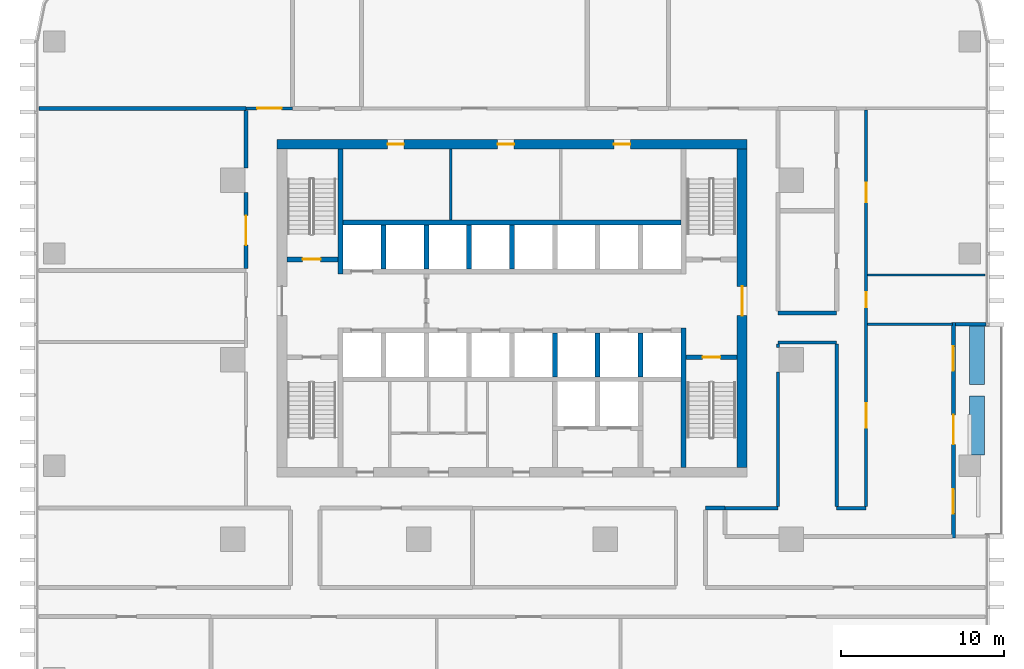
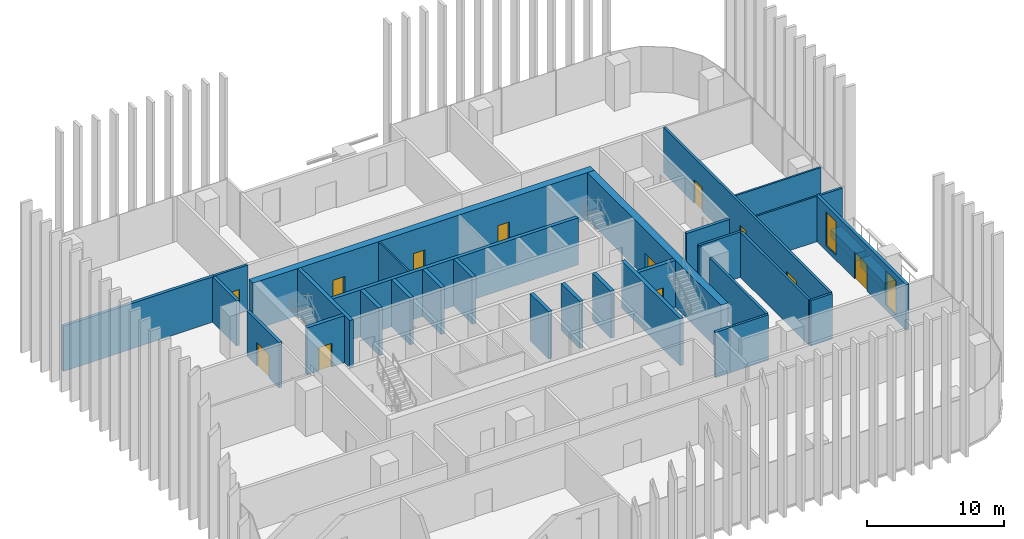
# One storey, part 9 of 17: 34 walls, 12 doors, 2 windows, 14 openings.
"""IFC4 building model written with IfcOpenShell, lengths in metres."""

from ifc_helpers import new_model, si_unit, direction, frame, frame_2d, origin, place, context, subcontext, project, spatial, rectangle, extrude, material, layer, layer_set, type_object, element, fill, save


model = new_model("IFC4")

# Units and contexts
model_context = context("Model", 3, precision=1e-05, world=origin(), true_north=direction((0.0, 1.0)))
body_context = subcontext(model_context, "Body", "Model", "MODEL_VIEW")
ifc_project = project(units=[si_unit("LENGTHUNIT", "METRE"), si_unit("AREAUNIT", "SQUARE_METRE"), si_unit("VOLUMEUNIT", "CUBIC_METRE"), si_unit("PLANEANGLEUNIT", "RADIAN"), si_unit("MASSUNIT", "GRAM", prefix="KILO")], contexts=[model_context])

# Site, building, storey
site_placement = place(None, origin())
site = spatial("IfcSite", under=ifc_project, at=site_placement, CompositionType="ELEMENT")
building_placement = place(site_placement, origin())
building = spatial("IfcBuilding", under=site, at=building_placement, Name="Mopane Tessera Tower", CompositionType="ELEMENT")
storey_placement = place(building_placement, frame((0.0, 0.0, 135.10009765625)))
storey = spatial("IfcBuildingStorey", under=building, at=storey_placement, Name="L27", CompositionType="ELEMENT", Elevation=135.10009765625)

# Wall
ifc_material_1 = material(Name="Fire-rated gypsum board partition")
ifc_layer_1 = layer(ifc_material_1, 0.14990234375)
ifc_layer_set_1 = layer_set([ifc_layer_1], Name="Fire-rated gypsum board partition")
wall_type_1 = type_object("IfcWallType", Name="Core room partition 150 mm", PredefinedType="PARTITIONING", material=ifc_layer_set_1)
wall_1_placement = place(storey_placement, frame((-3.75, 8.550048828125, 0.0), z_axis=(0.0, 0.0, 1.0), x_axis=(0.0, 1.0, 0.0)))
element("IfcWall", 1, at=wall_1_placement, inside=storey, type_object=wall_type_1, Name="L27 Room partition", PredefinedType="PARTITIONING", context=body_context, shape_type="SweptSolid", body=[
    extrude(rectangle(XDim=4.349853515625, YDim=0.14990234375, at=frame_2d((2.1748046875, 0.0))), origin(), (0.0, 0.0, 1.0), 4.199951171875),
])

# Wall, openings, doors
ifc_material_2 = material(Name="Concrete C70/85", Category="concrete")
ifc_layer_2 = layer(ifc_material_2, 0.60009765625)
ifc_layer_set_2 = layer_set([ifc_layer_2], Name="Concrete C70/85")
wall_type_2 = type_object("IfcWallType", Name="Core shear wall 600 mm", PredefinedType="SHEAR", material=ifc_layer_set_2)
wall_2_placement = place(storey_placement, frame((-14.39990234375, 13.199951171875, 0.0), z_axis=(0.0, 0.0, 1.0), x_axis=(1.0, 0.0, 0.0)))
wall_2 = element("IfcWall", 2, at=wall_2_placement, inside=storey, type_object=wall_type_2, Name="L27 Core wall north", PredefinedType="SHEAR", context=body_context, shape_type="SweptSolid", body=[
    extrude(rectangle(XDim=28.7998046875, YDim=0.60009765625, at=frame_2d((14.39990234375, 0.0))), origin(), (0.0, 0.0, 1.0), 4.199951171875),
])
opening_1_placement = place(wall_2_placement, frame((6.77490234375, 0.0, 0.0)))
opening_1 = element("IfcOpeningElement", 3, at=opening_1_placement, cuts=wall_2, Name="Opening RD1", PredefinedType="OPENING", context=body_context, shape_type="SweptSolid", body=[
    extrude(rectangle(XDim=1.0, YDim=2.10009765625, at=frame_2d((0.5, 1.050048828125))), frame((0.0, 0.31201171875, 0.0), z_axis=(0.0, -1.0, 0.0), x_axis=(1.0, 0.0, 0.0)), (0.0, 0.0, 1.0), 0.6240234375),
])
opening_2_placement = place(wall_2_placement, frame((13.52490234375, 0.0, 0.0)))
opening_2 = element("IfcOpeningElement", 4, at=opening_2_placement, cuts=wall_2, Name="Opening RD1", PredefinedType="OPENING", context=body_context, shape_type="SweptSolid", body=[
    extrude(rectangle(XDim=1.0, YDim=2.10009765625, at=frame_2d((0.5, 1.050048828125))), frame((0.0, 0.31201171875, 0.0), z_axis=(0.0, -1.0, 0.0), x_axis=(1.0, 0.0, 0.0)), (0.0, 0.0, 1.0), 0.6240234375),
])
opening_3_placement = place(wall_2_placement, frame((20.64990234375, 0.0, 0.0)))
opening_3 = element("IfcOpeningElement", 5, at=opening_3_placement, cuts=wall_2, Name="Opening RD1", PredefinedType="OPENING", context=body_context, shape_type="SweptSolid", body=[
    extrude(rectangle(XDim=1.0, YDim=2.10009765625, at=frame_2d((0.5, 1.050048828125))), frame((0.0, 0.31201171875, 0.0), z_axis=(0.0, -1.0, 0.0), x_axis=(1.0, 0.0, 0.0)), (0.0, 0.0, 1.0), 0.6240234375),
])
ifc_material_3 = material(Name="Timber door", Category="wood")
door_type_1 = type_object("IfcDoorType", Name="Core room door 1000 x 2100", OperationType="SINGLE_SWING_LEFT", PredefinedType="DOOR", material=ifc_material_3)
door_1_placement = place(opening_1_placement, origin())
door_1 = element("IfcDoor", 6, at=door_1_placement, inside=storey, type_object=door_type_1, Name="L27 Room door", OperationType="SINGLE_SWING_LEFT", OverallHeight=2.10009765625, OverallWidth=1.0, PredefinedType="DOOR", context=body_context, shape_type="SweptSolid", body=[
    extrude(rectangle(XDim=1.0, YDim=2.10009765625, at=frame_2d((0.5, 1.050048828125))), frame((0.0, 0.02490234375, 0.0), z_axis=(0.0, -1.0, 0.0), x_axis=(1.0, 0.0, 0.0)), (0.0, 0.0, 1.0), 0.050048828125),
])
fill(opening_1, door_1)
door_2_placement = place(opening_2_placement, origin())
door_2 = element("IfcDoor", 7, at=door_2_placement, inside=storey, type_object=door_type_1, Name="L27 Room door", OperationType="SINGLE_SWING_LEFT", OverallHeight=2.10009765625, OverallWidth=1.0, PredefinedType="DOOR", context=body_context, shape_type="SweptSolid", body=[
    extrude(rectangle(XDim=1.0, YDim=2.10009765625, at=frame_2d((0.5, 1.050048828125))), frame((0.0, 0.02490234375, 0.0), z_axis=(0.0, -1.0, 0.0), x_axis=(1.0, 0.0, 0.0)), (0.0, 0.0, 1.0), 0.050048828125),
])
fill(opening_2, door_2)
door_3_placement = place(opening_3_placement, origin())
door_3 = element("IfcDoor", 8, at=door_3_placement, inside=storey, type_object=door_type_1, Name="L27 Room door", OperationType="SINGLE_SWING_LEFT", OverallHeight=2.10009765625, OverallWidth=1.0, PredefinedType="DOOR", context=body_context, shape_type="SweptSolid", body=[
    extrude(rectangle(XDim=1.0, YDim=2.10009765625, at=frame_2d((0.5, 1.050048828125))), frame((0.0, 0.02490234375, 0.0), z_axis=(0.0, -1.0, 0.0), x_axis=(1.0, 0.0, 0.0)), (0.0, 0.0, 1.0), 0.050048828125),
])
fill(opening_3, door_3)

# Wall, opening, door
wall_3_placement = place(storey_placement, frame((14.10009765625, -6.60009765625, 0.0), z_axis=(0.0, 0.0, 1.0), x_axis=(0.0, 1.0, 0.0)))
wall_3 = element("IfcWall", 9, at=wall_3_placement, inside=storey, type_object=wall_type_2, Name="L27 Core wall east", PredefinedType="SHEAR", context=body_context, shape_type="SweptSolid", body=[
    extrude(rectangle(XDim=19.5, YDim=0.60009765625, at=frame_2d((9.75, 0.0))), origin(), (0.0, 0.0, 1.0), 4.199951171875),
])
opening_4_placement = place(wall_3_placement, frame((9.300048828125, 0.0, 0.0)))
opening_4 = element("IfcOpeningElement", 10, at=opening_4_placement, cuts=wall_3, Name="Opening SD2", PredefinedType="OPENING", context=body_context, shape_type="SweptSolid", body=[
    extrude(rectangle(XDim=1.800048828125, YDim=2.10009765625, at=frame_2d((0.89990234375, 1.050048828125))), frame((0.0, 0.31201171875, 0.0), z_axis=(0.0, -1.0, 0.0), x_axis=(1.0, 0.0, 0.0)), (0.0, 0.0, 1.0), 0.6240234375),
])
ifc_material_4 = material(Name="Steel fire door", Category="steel")
door_type_2 = type_object("IfcDoorType", Name="Core entrance double door 1800 x 2100", OperationType="DOUBLE_DOOR_SINGLE_SWING", PredefinedType="DOOR", material=ifc_material_4)
door_4_placement = place(opening_4_placement, origin())
door_4 = element("IfcDoor", 11, at=door_4_placement, inside=storey, type_object=door_type_2, Name="L27 Core entrance door east", OperationType="DOUBLE_DOOR_SINGLE_SWING", OverallHeight=2.10009765625, OverallWidth=1.800048828125, PredefinedType="DOOR", context=body_context, shape_type="SweptSolid", body=[
    extrude(rectangle(XDim=1.800048828125, YDim=2.10009765625, at=frame_2d((0.89990234375, 1.050048828125))), frame((0.0, 0.02490234375, 0.0), z_axis=(0.0, -1.0, 0.0), x_axis=(1.0, 0.0, 0.0)), (0.0, 0.0, 1.0), 0.050048828125),
])
fill(opening_4, door_4)

# Walls
ifc_material_5 = material(Name="Concrete C60/75", Category="concrete")
ifc_layer_3 = layer(ifc_material_5, 0.300048828125)
ifc_layer_set_3 = layer_set([ifc_layer_3], Name="Concrete C60/75")
wall_type_3 = type_object("IfcWallType", Name="Core spine wall 300 mm", PredefinedType="SHEAR", material=ifc_layer_set_3)
wall_4_placement = place(storey_placement, frame((-10.5, 5.25, 0.0), z_axis=(0.0, 0.0, 1.0), x_axis=(0.0, 1.0, 0.0)))
element("IfcWall", 12, at=wall_4_placement, inside=storey, type_object=wall_type_3, Name="L27 Core spine wall", PredefinedType="SHEAR", context=body_context, shape_type="SweptSolid", body=[
    extrude(rectangle(XDim=7.64990234375, YDim=0.300048828125, at=frame_2d((3.824951171875, 0.0))), origin(), (0.0, 0.0, 1.0), 4.199951171875),
])
wall_5_placement = place(storey_placement, frame((10.5, -6.60009765625, 0.0), z_axis=(0.0, 0.0, 1.0), x_axis=(0.0, 1.0, 0.0)))
element("IfcWall", 13, at=wall_5_placement, inside=storey, type_object=wall_type_3, Name="L27 Core spine wall", PredefinedType="SHEAR", context=body_context, shape_type="SweptSolid", body=[
    extrude(rectangle(XDim=8.550048828125, YDim=0.300048828125, at=frame_2d((4.27490234375, 0.0))), origin(), (0.0, 0.0, 1.0), 4.199951171875),
])
ifc_material_6 = material(Name="Gypsum board on steel studs, two layers each face, mineral wool infill", Category="steel")
ifc_layer_4 = layer(ifc_material_6, 0.199951171875)
ifc_layer_set_4 = layer_set([ifc_layer_4], Name="Gypsum board on steel studs, two layers each face, mineral wool infill")
wall_type_4 = type_object("IfcWallType", Name="Gypsum board corridor wall 200, rated EI 60", PredefinedType="PARTITIONING", material=ifc_layer_set_4)
wall_6_placement = place(storey_placement, frame((13.050048828125, -9.10009765625, 0.0), z_axis=(0.0, 0.0, 1.0), x_axis=(1.0, 0.0, 0.0)))
element("IfcWall", 14, at=wall_6_placement, inside=storey, type_object=wall_type_4, Name="Partition L27:009", PredefinedType="PARTITIONING", context=body_context, shape_type="SweptSolid", body=[
    extrude(rectangle(XDim=3.25, YDim=0.199951171875, at=frame_2d((1.625, 0.0))), origin(), (0.0, 0.0, 1.0), 4.0498046875),
])
wall_7_placement = place(storey_placement, frame((19.89990234375, -9.10009765625, 0.0), z_axis=(0.0, 0.0, 1.0), x_axis=(1.0, 0.0, 0.0)))
element("IfcWall", 15, at=wall_7_placement, inside=storey, type_object=wall_type_4, Name="Partition L27:010", PredefinedType="PARTITIONING", context=body_context, shape_type="SweptSolid", body=[
    extrude(rectangle(XDim=1.800048828125, YDim=0.199951171875, at=frame_2d((0.89990234375, 0.0))), origin(), (0.0, 0.0, 1.0), 4.0498046875),
])
wall_8_placement = place(storey_placement, frame((16.300048828125, 1.050048828125, 0.0), z_axis=(0.0, 0.0, 1.0), x_axis=(1.0, 0.0, 0.0)))
element("IfcWall", 16, at=wall_8_placement, inside=storey, type_object=wall_type_4, Name="Partition L27:014", PredefinedType="PARTITIONING", context=body_context, shape_type="SweptSolid", body=[
    extrude(rectangle(XDim=3.599853515625, YDim=0.199951171875, at=frame_2d((1.7998046875, 0.0))), origin(), (0.0, 0.0, 1.0), 4.0498046875),
])

# Wall, opening, door
wall_9_placement = place(storey_placement, frame((-16.300048828125, 15.39990234375, 0.0), z_axis=(0.0, 0.0, 1.0), x_axis=(1.0, 0.0, 0.0)))
wall_9 = element("IfcWall", 17, at=wall_9_placement, inside=storey, type_object=wall_type_4, Name="Partition L27:022", PredefinedType="PARTITIONING", context=body_context, shape_type="SweptSolid", body=[
    extrude(rectangle(XDim=2.860107421875, YDim=0.199951171875, at=frame_2d((1.43017578125, 0.0))), origin(), (0.0, 0.0, 1.0), 4.0498046875),
])
opening_5_placement = place(wall_9_placement, frame((0.679931640625, 0.0, 0.0)))
opening_5 = element("IfcOpeningElement", 18, at=opening_5_placement, cuts=wall_9, Name="Opening L27-11", PredefinedType="OPENING", context=body_context, shape_type="SweptSolid", body=[
    extrude(rectangle(XDim=1.5, YDim=2.10009765625, at=frame_2d((0.75, 1.050048828125))), frame((0.0, 0.112060546875, 0.0), z_axis=(0.0, -1.0, 0.0), x_axis=(1.0, 0.0, 0.0)), (0.0, 0.0, 1.0), 0.223876953125),
])
ifc_material_7 = material(Name="Timber veneered steel-framed fire door", Category="steel")
door_type_3 = type_object("IfcDoorType", Name="Fire door pair FD60 1500 x 2100", OperationType="DOUBLE_DOOR_SINGLE_SWING", PredefinedType="DOOR", material=ifc_material_7)
door_5_placement = place(opening_5_placement, origin())
door_5 = element("IfcDoor", 19, at=door_5_placement, inside=storey, type_object=door_type_3, Name="Door L27-11", ObjectType="D17A", OperationType="DOUBLE_DOOR_SINGLE_SWING", OverallHeight=2.10009765625, OverallWidth=1.5, PredefinedType="DOOR", context=body_context, shape_type="SweptSolid", body=[
    extrude(rectangle(XDim=1.5, YDim=2.10009765625, at=frame_2d((0.75, 1.050048828125))), frame((0.0, 0.02490234375, 0.0), z_axis=(0.0, -1.0, 0.0), x_axis=(1.0, 0.0, 0.0)), (0.0, 0.0, 1.0), 0.050048828125),
])
fill(opening_5, door_5)

# Walls
wall_10_placement = place(storey_placement, frame((16.300048828125, -9.0, 0.0), z_axis=(0.0, 0.0, 1.0), x_axis=(0.0, 1.0, 0.0)))
element("IfcWall", 20, at=wall_10_placement, inside=storey, type_object=wall_type_4, Name="Partition L27:047", PredefinedType="PARTITIONING", context=body_context, shape_type="SweptSolid", body=[
    extrude(rectangle(XDim=8.25, YDim=0.199951171875, at=frame_2d((4.125, 0.0))), origin(), (0.0, 0.0, 1.0), 4.0498046875),
])
wall_11_placement = place(storey_placement, frame((16.300048828125, 0.75, 0.0), z_axis=(0.0, 0.0, 1.0), x_axis=(0.0, 1.0, 0.0)))
element("IfcWall", 21, at=wall_11_placement, inside=storey, type_object=wall_type_4, Name="Partition L27:048", PredefinedType="PARTITIONING", context=body_context, shape_type="SweptSolid", body=[
    extrude(rectangle(XDim=0.199951171875, YDim=0.199951171875, at=frame_2d((0.10009765625, 0.0))), origin(), (0.0, 0.0, 1.0), 4.0498046875),
])
wall_12_placement = place(storey_placement, frame((19.89990234375, -9.0, 0.0), z_axis=(0.0, 0.0, 1.0), x_axis=(0.0, 1.0, 0.0)))
element("IfcWall", 22, at=wall_12_placement, inside=storey, type_object=wall_type_4, Name="Partition L27:051", PredefinedType="PARTITIONING", context=body_context, shape_type="SweptSolid", body=[
    extrude(rectangle(XDim=9.949951171875, YDim=0.199951171875, at=frame_2d((4.97509765625, 0.0))), origin(), (0.0, 0.0, 1.0), 4.0498046875),
])

# Wall, openings, doors
wall_13_placement = place(storey_placement, frame((21.699951171875, -9.0, 0.0), z_axis=(0.0, 0.0, 1.0), x_axis=(0.0, 1.0, 0.0)))
wall_13 = element("IfcWall", 23, at=wall_13_placement, inside=storey, type_object=wall_type_4, Name="Partition L27:053", PredefinedType="PARTITIONING", context=body_context, shape_type="SweptSolid", body=[
    extrude(rectangle(XDim=24.300048828125, YDim=0.199951171875, at=frame_2d((12.14990234375, 0.0))), origin(), (0.0, 0.0, 1.0), 4.0498046875),
])
opening_6_placement = place(wall_13_placement, frame((18.64501953125, 0.0, 0.0)))
opening_6 = element("IfcOpeningElement", 24, at=opening_6_placement, cuts=wall_13, Name="Opening L27-07", PredefinedType="OPENING", context=body_context, shape_type="SweptSolid", body=[
    extrude(rectangle(XDim=1.199951171875, YDim=2.10009765625, at=frame_2d((0.60009765625, 1.050048828125))), frame((0.0, 0.112060546875, 0.0), z_axis=(0.0, -1.0, 0.0), x_axis=(1.0, 0.0, 0.0)), (0.0, 0.0, 1.0), 0.223876953125),
])
opening_7_placement = place(wall_13_placement, frame((4.83251953125, 0.0, 0.0)))
opening_7 = element("IfcOpeningElement", 25, at=opening_7_placement, cuts=wall_13, Name="Opening L27-14", PredefinedType="OPENING", context=body_context, shape_type="SweptSolid", body=[
    extrude(rectangle(XDim=1.5, YDim=2.10009765625, at=frame_2d((0.75, 1.050048828125))), frame((0.0, 0.112060546875, 0.0), z_axis=(0.0, -1.0, 0.0), x_axis=(1.0, 0.0, 0.0)), (0.0, 0.0, 1.0), 0.223876953125),
])
opening_8_placement = place(wall_13_placement, frame((12.2275390625, 0.0, 0.0)))
opening_8 = element("IfcOpeningElement", 26, at=opening_8_placement, cuts=wall_13, Name="Opening L27-21", PredefinedType="OPENING", context=body_context, shape_type="SweptSolid", body=[
    extrude(rectangle(XDim=0.89990234375, YDim=2.10009765625, at=frame_2d((0.449951171875, 1.050048828125))), frame((0.0, 0.112060546875, 0.0), z_axis=(0.0, -1.0, 0.0), x_axis=(1.0, 0.0, 0.0)), (0.0, 0.0, 1.0), 0.223876953125),
])
ifc_material_8 = material(Name="Timber veneered steel-framed fire door", Category="steel")
door_type_4 = type_object("IfcDoorType", Name="Fire door FD60 1200 x 2100", OperationType="SINGLE_SWING_LEFT", PredefinedType="DOOR", material=ifc_material_8)
door_6_placement = place(opening_6_placement, origin())
door_6 = element("IfcDoor", 27, at=door_6_placement, inside=storey, type_object=door_type_4, Name="Door L27-07", ObjectType="D15A", OperationType="SINGLE_SWING_LEFT", OverallHeight=2.10009765625, OverallWidth=1.199951171875, PredefinedType="DOOR", context=body_context, shape_type="SweptSolid", body=[
    extrude(rectangle(XDim=1.199951171875, YDim=2.10009765625, at=frame_2d((0.60009765625, 1.050048828125))), frame((0.0, 0.02490234375, 0.0), z_axis=(0.0, -1.0, 0.0), x_axis=(1.0, 0.0, 0.0)), (0.0, 0.0, 1.0), 0.050048828125),
])
fill(opening_6, door_6)
ifc_material_9 = material(Name="Timber veneered steel-framed fire door", Category="steel")
door_type_5 = type_object("IfcDoorType", Name="Fire door FD60 900 x 2100", OperationType="SINGLE_SWING_LEFT", PredefinedType="DOOR", material=ifc_material_9)
door_7_placement = place(opening_8_placement, origin())
door_7 = element("IfcDoor", 28, at=door_7_placement, inside=storey, type_object=door_type_5, Name="Door L27-21", ObjectType="D10A", OperationType="SINGLE_SWING_LEFT", OverallHeight=2.10009765625, OverallWidth=0.89990234375, PredefinedType="DOOR", context=body_context, shape_type="SweptSolid", body=[
    extrude(rectangle(XDim=0.89990234375, YDim=2.10009765625, at=frame_2d((0.449951171875, 1.050048828125))), frame((0.0, 0.02490234375, 0.0), z_axis=(0.0, -1.0, 0.0), x_axis=(1.0, 0.0, 0.0)), (0.0, 0.0, 1.0), 0.050048828125),
])
fill(opening_8, door_7)
door_8_placement = place(opening_7_placement, origin())
door_8 = element("IfcDoor", 29, at=door_8_placement, inside=storey, type_object=door_type_3, Name="Door L27-14", ObjectType="D17A", OperationType="DOUBLE_DOOR_SINGLE_SWING", OverallHeight=2.10009765625, OverallWidth=1.5, PredefinedType="DOOR", context=body_context, shape_type="SweptSolid", body=[
    extrude(rectangle(XDim=1.5, YDim=2.10009765625, at=frame_2d((0.75, 1.050048828125))), frame((0.0, 0.02490234375, 0.0), z_axis=(0.0, -1.0, 0.0), x_axis=(1.0, 0.0, 0.0)), (0.0, 0.0, 1.0), 0.050048828125),
])
fill(opening_7, door_8)

# Walls
ifc_material_10 = material(Name="Gypsum board on steel studs, mineral wool infill", Category="steel")
ifc_layer_5 = layer(ifc_material_10, 0.14990234375)
ifc_layer_set_5 = layer_set([ifc_layer_5], Name="Gypsum board on steel studs, mineral wool infill")
wall_type_5 = type_object("IfcWallType", Name="Gypsum board partition 150, rated EI 60", PredefinedType="PARTITIONING", material=ifc_layer_set_5)
wall_14_placement = place(storey_placement, frame((21.800048828125, 2.1650390625, 0.0), z_axis=(0.0, 0.0, 1.0), x_axis=(1.0, 0.0, 0.0)))
element("IfcWall", 30, at=wall_14_placement, inside=storey, type_object=wall_type_5, Name="Partition L27:016", PredefinedType="PARTITIONING", context=body_context, shape_type="SweptSolid", body=[
    extrude(rectangle(XDim=5.199951171875, YDim=0.14990234375, at=frame_2d((2.60009765625, 0.0))), origin(), (0.0, 0.0, 1.0), 4.0498046875),
])
wall_15_placement = place(storey_placement, frame((21.800048828125, 5.18994140625, 0.0), z_axis=(0.0, 0.0, 1.0), x_axis=(1.0, 0.0, 0.0)))
element("IfcWall", 31, at=wall_15_placement, inside=storey, type_object=wall_type_5, Name="Partition L27:018", PredefinedType="PARTITIONING", context=body_context, shape_type="SweptSolid", body=[
    extrude(rectangle(XDim=7.199951171875, YDim=0.14990234375, at=frame_2d((3.60009765625, 0.0))), origin(), (0.0, 0.0, 1.0), 4.0498046875),
])

# Wall, opening, door
ifc_material_11 = material(Name="Concrete C50/60", Category="concrete")
ifc_layer_6 = layer(ifc_material_11, 0.300048828125)
ifc_layer_set_6 = layer_set([ifc_layer_6], Name="Concrete C50/60")
wall_type_6 = type_object("IfcWallType", Name="Lift and stair shaft wall 300 mm", PredefinedType="SOLIDWALL", material=ifc_layer_set_6)
wall_16_placement = place(storey_placement, frame((-13.800048828125, 6.14990234375, 0.0), z_axis=(0.0, 0.0, 1.0), x_axis=(1.0, 0.0, 0.0)))
wall_16 = element("IfcWall", 32, at=wall_16_placement, inside=storey, type_object=wall_type_6, Name="L27 Stair enclosure wall", PredefinedType="SOLIDWALL", context=body_context, shape_type="SweptSolid", body=[
    extrude(rectangle(XDim=3.150146484375, YDim=0.300048828125, at=frame_2d((1.5751953125, 0.0))), origin(), (0.0, 0.0, 1.0), 4.199951171875),
])
opening_9_placement = place(wall_16_placement, frame((0.97509765625, 0.0, 0.0)))
opening_9 = element("IfcOpeningElement", 33, at=opening_9_placement, cuts=wall_16, Name="Opening SD1", PredefinedType="OPENING", context=body_context, shape_type="SweptSolid", body=[
    extrude(rectangle(XDim=1.10009765625, YDim=2.10009765625, at=frame_2d((0.550048828125, 1.050048828125))), frame((0.0, 0.162109375, 0.0), z_axis=(0.0, -1.0, 0.0), x_axis=(1.0, 0.0, 0.0)), (0.0, 0.0, 1.0), 0.323974609375),
])
ifc_material_12 = material(Name="Steel fire door", Category="steel")
door_type_6 = type_object("IfcDoorType", Name="Stair fire door 1100 x 2100", OperationType="SINGLE_SWING_LEFT", PredefinedType="DOOR", material=ifc_material_12)
door_9_placement = place(opening_9_placement, origin())
door_9 = element("IfcDoor", 34, at=door_9_placement, inside=storey, type_object=door_type_6, Name="L27 Stair door ST2", OperationType="SINGLE_SWING_LEFT", OverallHeight=2.10009765625, OverallWidth=1.10009765625, PredefinedType="DOOR", context=body_context, shape_type="SweptSolid", body=[
    extrude(rectangle(XDim=1.10009765625, YDim=2.10009765625, at=frame_2d((0.550048828125, 1.050048828125))), frame((0.0, 0.02490234375, 0.0), z_axis=(0.0, -1.0, 0.0), x_axis=(1.0, 0.0, 0.0)), (0.0, 0.0, 1.0), 0.050048828125),
])
fill(opening_9, door_9)

wall_17_placement = place(storey_placement, frame((10.64990234375, 0.14990234375, 0.0), z_axis=(0.0, 0.0, 1.0), x_axis=(1.0, 0.0, 0.0)))
wall_17 = element("IfcWall", 35, at=wall_17_placement, inside=storey, type_object=wall_type_6, Name="L27 Stair enclosure wall", PredefinedType="SOLIDWALL", context=body_context, shape_type="SweptSolid", body=[
    extrude(rectangle(XDim=3.150146484375, YDim=0.300048828125, at=frame_2d((1.5751953125, 0.0))), origin(), (0.0, 0.0, 1.0), 4.199951171875),
])
opening_10_placement = place(wall_17_placement, frame((1.02490234375, 0.0, 0.0)))
opening_10 = element("IfcOpeningElement", 36, at=opening_10_placement, cuts=wall_17, Name="Opening SD1", PredefinedType="OPENING", context=body_context, shape_type="SweptSolid", body=[
    extrude(rectangle(XDim=1.10009765625, YDim=2.10009765625, at=frame_2d((0.550048828125, 1.050048828125))), frame((0.0, 0.162109375, 0.0), z_axis=(0.0, -1.0, 0.0), x_axis=(1.0, 0.0, 0.0)), (0.0, 0.0, 1.0), 0.323974609375),
])
door_10_placement = place(opening_10_placement, origin())
door_10 = element("IfcDoor", 37, at=door_10_placement, inside=storey, type_object=door_type_6, Name="L27 Stair door ST3", OperationType="SINGLE_SWING_RIGHT", OverallHeight=2.10009765625, OverallWidth=1.10009765625, PredefinedType="DOOR", context=body_context, shape_type="SweptSolid", body=[
    extrude(rectangle(XDim=1.10009765625, YDim=2.10009765625, at=frame_2d((0.550048828125, 1.050048828125))), frame((0.0, 0.02490234375, 0.0), z_axis=(0.0, -1.0, 0.0), x_axis=(1.0, 0.0, 0.0)), (0.0, 0.0, 1.0), 0.050048828125),
])
fill(opening_10, door_10)

# Walls
wall_18_placement = place(storey_placement, frame((-10.35009765625, 8.39990234375, 0.0), z_axis=(0.0, 0.0, 1.0), x_axis=(1.0, 0.0, 0.0)))
element("IfcWall", 38, at=wall_18_placement, inside=storey, type_object=wall_type_6, Name="L27 Lift shaft rear wall", PredefinedType="SOLIDWALL", context=body_context, shape_type="SweptSolid", body=[
    extrude(rectangle(XDim=20.7001953125, YDim=0.300048828125, at=frame_2d((10.35009765625, 0.0))), origin(), (0.0, 0.0, 1.0), 4.199951171875),
])
for number, where, z_axis, x_axis, name in (
    (39, (2.625, -1.050048828125, 0.0), (0.0, 0.0, 1.0), (0.0, 1.0, 0.0), "L27 Lift shaft wall"),
    (40, (5.25, -1.050048828125, 0.0), (0.0, 0.0, 1.0), (0.0, 1.0, 0.0), "L27 Lift shaft wall"),
    (41, (7.875, -1.050048828125, 0.0), (0.0, 0.0, 1.0), (0.0, 1.0, 0.0), "L27 Lift shaft wall"),
    (42, (-7.875, 5.550048828125, 0.0), (0.0, 0.0, 1.0), (0.0, 1.0, 0.0), "L27 Lift shaft wall"),
    (43, (-5.25, 5.550048828125, 0.0), (0.0, 0.0, 1.0), (0.0, 1.0, 0.0), "L27 Lift shaft wall"),
    (44, (-2.625, 5.550048828125, 0.0), (0.0, 0.0, 1.0), (0.0, 1.0, 0.0), "L27 Lift shaft wall"),
    (45, (0.0, 5.550048828125, 0.0), (0.0, 0.0, 1.0), (0.0, 1.0, 0.0), "L27 Lift shaft wall"),
):
    element("IfcWall", number, at=place(storey_placement, frame(where, z_axis=z_axis, x_axis=x_axis)), inside=storey, type_object=wall_type_6, Name=name, PredefinedType="SOLIDWALL", context=body_context, shape_type="SweptSolid", body=[
        extrude(rectangle(XDim=2.699951171875, YDim=0.300048828125, at=frame_2d((1.35009765625, 0.0))), origin(), (0.0, 0.0, 1.0), 4.199951171875),
    ])
ifc_material_13 = material(Name="Reinforced concrete C32/40 with waterproofing", Category="concrete")
ifc_layer_7 = layer(ifc_material_13, 0.89990234375)
ifc_layer_set_7 = layer_set([ifc_layer_7], Name="Reinforced concrete C32/40 with waterproofing")
wall_type_7 = type_object("IfcWallType", Name="Planter trough 3600 x 900", PredefinedType="STANDARD", material=ifc_layer_set_7)
for number, where, z_axis, x_axis, name in (
    (46, (28.5, -5.830078125, 0.0), (0.0, 0.0, 1.0), (0.0, 1.0, 0.0), "e:nw:L27:N3:pl0"),
    (47, (28.5, -1.533447265625, 0.0), (0.0, 0.0, 1.0), (0.0, 1.0, 0.0), "e:nw:L27:N3:pl1"),
):
    element("IfcWall", number, at=place(storey_placement, frame(where, z_axis=z_axis, x_axis=x_axis)), inside=storey, type_object=wall_type_7, Name=name, PredefinedType="STANDARD", context=body_context, shape_type="SweptSolid", body=[
        extrude(rectangle(XDim=3.60009765625, YDim=0.89990234375, at=frame_2d((1.800048828125, 0.0))), origin(), (0.0, 0.0, 1.0), 0.699951171875),
    ])
ifc_material_14 = material(Name="Plastered concrete blockwork C20/25", Category="masonry")
ifc_layer_8 = layer(ifc_material_14, 0.25)
ifc_layer_set_8 = layer_set([ifc_layer_8], Name="Plastered concrete blockwork C20/25")
wall_type_8 = type_object("IfcWallType", Name="Plastered blockwork wall 250, rated EI 120", PredefinedType="PARTITIONING", material=ifc_layer_set_8)
wall_19_placement = place(storey_placement, frame((11.844970703125, -9.10009765625, 0.0), z_axis=(0.0, 0.0, 1.0), x_axis=(1.0, 0.0, 0.0)))
element("IfcWall", 48, at=wall_19_placement, inside=storey, type_object=wall_type_8, Name="Partition L27:013", PredefinedType="PARTITIONING", context=body_context, shape_type="SweptSolid", body=[
    extrude(rectangle(XDim=1.205078125, YDim=0.25, at=frame_2d((0.6025390625, 0.0))), origin(), (0.0, 0.0, 1.0), 4.0498046875),
])
wall_20_placement = place(storey_placement, frame((16.300048828125, 2.85009765625, 0.0), z_axis=(0.0, 0.0, 1.0), x_axis=(1.0, 0.0, 0.0)))
element("IfcWall", 49, at=wall_20_placement, inside=storey, type_object=wall_type_8, Name="Partition L27:017", PredefinedType="PARTITIONING", context=body_context, shape_type="SweptSolid", body=[
    extrude(rectangle(XDim=3.599853515625, YDim=0.25, at=frame_2d((1.7998046875, 0.0))), origin(), (0.0, 0.0, 1.0), 4.0498046875),
])
wall_21_placement = place(storey_placement, frame((-29.0, 15.39990234375, 0.0), z_axis=(0.0, 0.0, 1.0), x_axis=(1.0, 0.0, 0.0)))
element("IfcWall", 50, at=wall_21_placement, inside=storey, type_object=wall_type_8, Name="Partition L27:026", PredefinedType="PARTITIONING", context=body_context, shape_type="SweptSolid", body=[
    extrude(rectangle(XDim=12.699951171875, YDim=0.25, at=frame_2d((6.35009765625, 0.0))), origin(), (0.0, 0.0, 1.0), 4.0498046875),
])

# Wall, opening, door
wall_22_placement = place(storey_placement, frame((-16.300048828125, 5.60009765625, 0.0), z_axis=(0.0, 0.0, 1.0), x_axis=(0.0, 1.0, 0.0)))
wall_22 = element("IfcWall", 51, at=wall_22_placement, inside=storey, type_object=wall_type_8, Name="Partition L27:033", PredefinedType="PARTITIONING", context=body_context, shape_type="SweptSolid", body=[
    extrude(rectangle(XDim=4.64990234375, YDim=0.25, at=frame_2d((2.324951171875, 0.0))), origin(), (0.0, 0.0, 1.0), 4.0498046875),
])
opening_11_placement = place(wall_22_placement, frame((1.425048828125, 0.0, 0.0)))
opening_11 = element("IfcOpeningElement", 52, at=opening_11_placement, cuts=wall_22, Name="Opening L27-05", PredefinedType="OPENING", context=body_context, shape_type="SweptSolid", body=[
    extrude(rectangle(XDim=1.800048828125, YDim=2.10009765625, at=frame_2d((0.89990234375, 1.050048828125))), frame((0.0, 0.136962890625, 0.0), z_axis=(0.0, -1.0, 0.0), x_axis=(1.0, 0.0, 0.0)), (0.0, 0.0, 1.0), 0.27392578125),
])
ifc_material_15 = material(Name="Timber veneered steel-framed fire door", Category="steel")
door_type_7 = type_object("IfcDoorType", Name="Fire door pair FD120 1800 x 2100", OperationType="DOUBLE_DOOR_SINGLE_SWING", PredefinedType="DOOR", material=ifc_material_15)
door_11_placement = place(opening_11_placement, origin())
door_11 = element("IfcDoor", 53, at=door_11_placement, inside=storey, type_object=door_type_7, Name="Door L27-05", ObjectType="D20B", OperationType="DOUBLE_DOOR_SINGLE_SWING", OverallHeight=2.10009765625, OverallWidth=1.800048828125, PredefinedType="DOOR", context=body_context, shape_type="SweptSolid", body=[
    extrude(rectangle(XDim=1.800048828125, YDim=2.10009765625, at=frame_2d((0.89990234375, 1.050048828125))), frame((0.0, 0.02490234375, 0.0), z_axis=(0.0, -1.0, 0.0), x_axis=(1.0, 0.0, 0.0)), (0.0, 0.0, 1.0), 0.050048828125),
])
fill(opening_11, door_11)

# Walls
wall_23_placement = place(storey_placement, frame((-16.300048828125, 11.75, 0.0), z_axis=(0.0, 0.0, 1.0), x_axis=(0.0, 1.0, 0.0)))
element("IfcWall", 54, at=wall_23_placement, inside=storey, type_object=wall_type_8, Name="Partition L27:034", PredefinedType="PARTITIONING", context=body_context, shape_type="SweptSolid", body=[
    extrude(rectangle(XDim=3.52490234375, YDim=0.25, at=frame_2d((1.762451171875, 0.0))), origin(), (0.0, 0.0, 1.0), 4.0498046875),
])
ifc_material_16 = material(Name="Blockwork with glazed tile facing", Category="masonry")
ifc_layer_9 = layer(ifc_material_16, 0.199951171875)
ifc_layer_set_9 = layer_set([ifc_layer_9], Name="Blockwork with glazed tile facing")
wall_type_9 = type_object("IfcWallType", Name="Terrace cheek wall 200", PredefinedType="STANDARD", material=ifc_layer_set_9)
wall_24_placement = place(storey_placement, frame((29.050048828125, 2.166748046875, 0.0), z_axis=(0.0, 0.0, 1.0), x_axis=(-1.0, 0.0, 0.0)))
element("IfcWall", 55, at=wall_24_placement, inside=storey, type_object=wall_type_9, Name="e:nw:L27:N3:cheekb", PredefinedType="STANDARD", context=body_context, shape_type="SweptSolid", body=[
    extrude(rectangle(XDim=1.875, YDim=0.199951171875, at=frame_2d((0.9375, 0.0))), origin(), (0.0, 0.0, 1.0), 4.0498046875),
])

# Wall, openings, windows, door
ifc_material_17 = material(Name="Blockwork with ultramarine glazed tile facing", Category="masonry")
ifc_layer_10 = layer(ifc_material_17, 0.25)
ifc_layer_set_10 = layer_set([ifc_layer_10], Name="Blockwork with ultramarine glazed tile facing")
wall_type_10 = type_object("IfcWallType", Name="Tile-clad external wall 250, ultramarine", PredefinedType="STANDARD", material=ifc_layer_set_10)
wall_25_placement = place(storey_placement, frame((27.050048828125, -10.933349609375, 0.0), z_axis=(0.0, 0.0, 1.0), x_axis=(0.0, 1.0, 0.0)))
wall_25 = element("IfcWall", 56, at=wall_25_placement, inside=storey, type_object=wall_type_10, Name="e:nw:L27:N3:back", PredefinedType="STANDARD", context=body_context, shape_type="SweptSolid", body=[
    extrude(rectangle(XDim=13.199951171875, YDim=0.25, at=frame_2d((6.60009765625, 0.0))), origin(), (0.0, 0.0, 1.0), 4.0498046875),
])
opening_12_placement = place(wall_25_placement, frame((1.5, 0.0, 0.449951171875)))
opening_12 = element("IfcOpeningElement", 57, at=opening_12_placement, cuts=wall_25, Name="Opening NW273A", PredefinedType="OPENING", context=body_context, shape_type="SweptSolid", body=[
    extrude(rectangle(XDim=1.5, YDim=3.0, at=frame_2d((0.75, 1.5))), frame((0.0, 0.136962890625, 0.0), z_axis=(0.0, -1.0, 0.0), x_axis=(1.0, 0.0, 0.0)), (0.0, 0.0, 1.0), 0.27392578125),
])
opening_13_placement = place(wall_25_placement, frame((5.75, 0.0, 0.0)))
opening_13 = element("IfcOpeningElement", 58, at=opening_13_placement, cuts=wall_25, Name="Opening ND273", PredefinedType="OPENING", context=body_context, shape_type="SweptSolid", body=[
    extrude(rectangle(XDim=1.800048828125, YDim=2.39990234375, at=frame_2d((0.89990234375, 1.199951171875))), frame((0.0, 0.136962890625, 0.0), z_axis=(0.0, -1.0, 0.0), x_axis=(1.0, 0.0, 0.0)), (0.0, 0.0, 1.0), 0.27392578125),
])
opening_14_placement = place(wall_25_placement, frame((10.25, 0.0, 0.449951171875)))
opening_14 = element("IfcOpeningElement", 59, at=opening_14_placement, cuts=wall_25, Name="Opening NW273B", PredefinedType="OPENING", context=body_context, shape_type="SweptSolid", body=[
    extrude(rectangle(XDim=1.5, YDim=3.0, at=frame_2d((0.75, 1.5))), frame((0.0, 0.136962890625, 0.0), z_axis=(0.0, -1.0, 0.0), x_axis=(1.0, 0.0, 0.0)), (0.0, 0.0, 1.0), 0.27392578125),
])
ifc_material_18 = material(Name="Clear laminated glass", Category="glass")
window_type = type_object("IfcWindowType", Name="Fixed window 1500 x 3000", PartitioningType="SINGLE_PANEL", PredefinedType="WINDOW", material=ifc_material_18)
window_1_placement = place(opening_12_placement, origin())
window_1 = element("IfcWindow", 60, at=window_1_placement, inside=storey, type_object=window_type, Name="e:nw:L27:N3:win0", OverallHeight=3.0, OverallWidth=1.5, PartitioningType="SINGLE_PANEL", PredefinedType="WINDOW", context=body_context, shape_type="SweptSolid", body=[
    extrude(rectangle(XDim=1.5, YDim=3.0, at=frame_2d((0.75, 1.5))), frame((0.0, 0.030029296875, 0.0), z_axis=(0.0, -1.0, 0.0), x_axis=(1.0, 0.0, 0.0)), (0.0, 0.0, 1.0), 0.06005859375),
])
fill(opening_12, window_1)
window_2_placement = place(opening_14_placement, origin())
window_2 = element("IfcWindow", 61, at=window_2_placement, inside=storey, type_object=window_type, Name="e:nw:L27:N3:win2", OverallHeight=3.0, OverallWidth=1.5, PartitioningType="SINGLE_PANEL", PredefinedType="WINDOW", context=body_context, shape_type="SweptSolid", body=[
    extrude(rectangle(XDim=1.5, YDim=3.0, at=frame_2d((0.75, 1.5))), frame((0.0, 0.030029296875, 0.0), z_axis=(0.0, -1.0, 0.0), x_axis=(1.0, 0.0, 0.0)), (0.0, 0.0, 1.0), 0.06005859375),
])
fill(opening_14, window_2)
ifc_material_19 = material(Name="Aluminium and clear glass", Category="aluminium")
door_type_8 = type_object("IfcDoorType", Name="Terrace double door 1800 x 2400", OperationType="DOUBLE_DOOR_SINGLE_SWING", PredefinedType="DOOR", material=ifc_material_19)
door_12_placement = place(opening_13_placement, origin())
door_12 = element("IfcDoor", 62, at=door_12_placement, inside=storey, type_object=door_type_8, Name="e:nw:L27:N3:door", ObjectType="D1", OperationType="DOUBLE_DOOR_SINGLE_SWING", OverallHeight=2.39990234375, OverallWidth=1.800048828125, PredefinedType="DOOR", context=body_context, shape_type="SweptSolid", body=[
    extrude(rectangle(XDim=1.800048828125, YDim=2.39990234375, at=frame_2d((0.89990234375, 1.199951171875))), frame((0.0, 0.02490234375, 0.0), z_axis=(0.0, -1.0, 0.0), x_axis=(1.0, 0.0, 0.0)), (0.0, 0.0, 1.0), 0.050048828125),
])
fill(opening_13, door_12)

save(model, "model.ifc")
